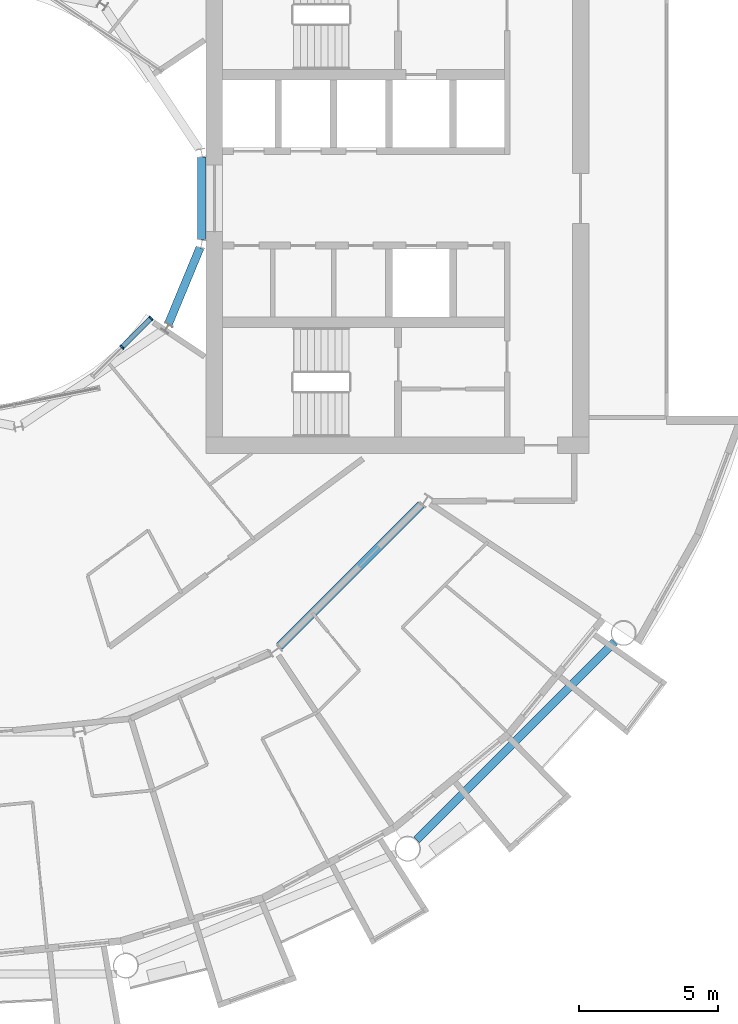
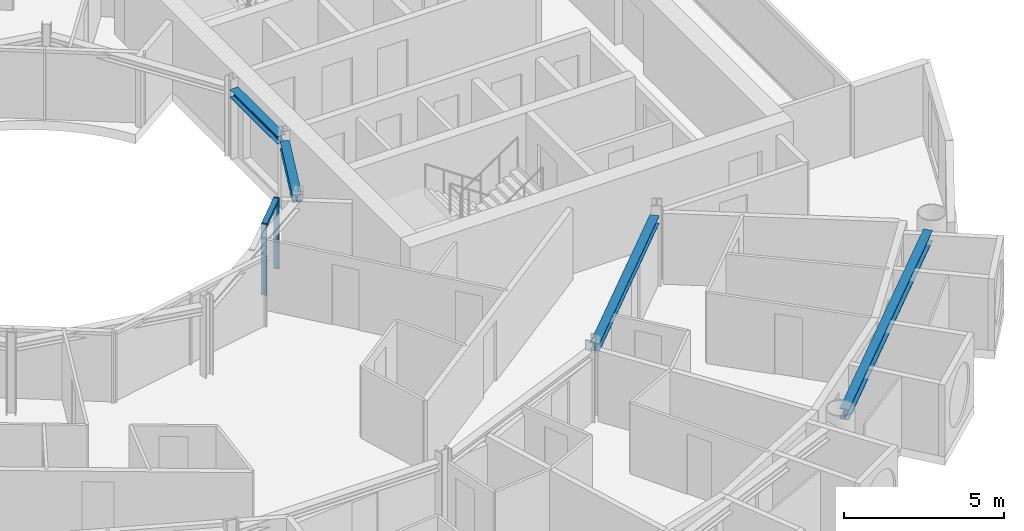
# One storey, part 7 of 27: 4 beams, 3 members, 1 element without a shape of its own.
"""IFC4 building model written with IfcOpenShell, lengths in metres."""

from ifc_helpers import new_model, si_unit, direction, frame, origin, origin_2d, place, context, subcontext, project, spatial, rectangle, i_section, extrude, material, layer, layer_set, material_profile, profile_set, type_object, element, aggregate, save


model = new_model("IFC4")

# Units and contexts
model_context = context("Model", 3, precision=1e-05, world=origin(), true_north=direction((0.0, 1.0)))
body_context = subcontext(model_context, "Body", "Model", "MODEL_VIEW")
ifc_project = project(units=[si_unit("LENGTHUNIT", "METRE"), si_unit("AREAUNIT", "SQUARE_METRE"), si_unit("VOLUMEUNIT", "CUBIC_METRE"), si_unit("PLANEANGLEUNIT", "RADIAN"), si_unit("MASSUNIT", "GRAM", prefix="KILO")], contexts=[model_context])

# Site, building, storey
site_placement = place(None, origin())
site = spatial("IfcSite", under=ifc_project, at=site_placement, CompositionType="ELEMENT")
building_placement = place(site_placement, origin())
building = spatial("IfcBuilding", under=site, at=building_placement, Name="Maasbend Ring Residences", CompositionType="ELEMENT")
storey_placement = place(building_placement, frame((0.0, 0.0, 120.800048828125)))
storey = spatial("IfcBuildingStorey", under=building, at=storey_placement, Name="L34", CompositionType="ELEMENT", Elevation=120.800048828125)

# Curtain wall, members
ifc_material_1 = material(Name="Aluminium and clear glass", Category="aluminium")
ifc_layer = layer(ifc_material_1, 0.179931640625)
ifc_layer_set = layer_set([ifc_layer], Name="CW-W")
curtain_wall_type = type_object("IfcCurtainWallType", Name="CW-W", PredefinedType="NOTDEFINED", material=ifc_layer_set)
curtain_wall_placement = place(storey_placement, origin())
curtain_wall = element("IfcCurtainWall", 1, at=curtain_wall_placement, inside=storey, type_object=curtain_wall_type, Name="Well curtain wall S3", PredefinedType="NOTDEFINED")
ifc_material_2 = material(Name="Aluminium 6063-T6", Category="aluminium")
ifc_material_profile_1 = material_profile(ifc_material_2, rectangle(XDim=0.179931640625, YDim=0.06005859375, at=origin_2d()), Name="AL 180x60")
ifc_profile_set_1 = profile_set([ifc_material_profile_1], Name="Aluminium 6063-T6")
member_type_1 = type_object("IfcMemberType", Name="CWM-W", PredefinedType="MULLION", material=ifc_profile_set_1)
member_1_placement = place(storey_placement, frame((5.366943359375, -5.366943359375, 0.0), z_axis=(0.0, 0.0, 1.0), x_axis=(-0.707106781187, 0.707106781187, 0.0)))
member_1 = element("IfcMember", 2, at=member_1_placement, type_object=member_type_1, Name="Mullion well face", PredefinedType="MULLION", context=body_context, shape_type="SweptSolid", body=[
    extrude(rectangle(XDim=0.179931640625, YDim=0.06005859375, at=origin_2d()), origin(), (0.0, 0.0, 1.0), 2.699951171875),
])
member_2_placement = place(storey_placement, frame((6.413330078125, -4.320556640625, 0.0), z_axis=(0.0, 0.0, 1.0), x_axis=(-0.707106781187, 0.707106781187, 0.0)))
member_2 = element("IfcMember", 3, at=member_2_placement, type_object=member_type_1, Name="Mullion well face", PredefinedType="MULLION", context=body_context, shape_type="SweptSolid", body=[
    extrude(rectangle(XDim=0.179931640625, YDim=0.06005859375, at=origin_2d()), origin(), (0.0, 0.0, 1.0), 2.699951171875),
])
ifc_material_3 = material(Name="Aluminium 6063-T6", Category="aluminium")
ifc_material_profile_2 = material_profile(ifc_material_3, rectangle(XDim=0.179931640625, YDim=0.1201171875, at=origin_2d()), Name="AL 180x120")
ifc_profile_set_2 = profile_set([ifc_material_profile_2], Name="Aluminium 6063-T6")
member_type_2 = type_object("IfcMemberType", Name="CWT-W", PredefinedType="USERDEFINED", material=ifc_profile_set_2)
member_3_placement = place(storey_placement, frame((5.38818359375, -5.345703125, 2.639892578125), z_axis=(0.707106781187, 0.707106781187, 0.0), x_axis=(-0.707106781187, 0.707106781187, 0.0)))
member_3 = element("IfcMember", 4, at=member_3_placement, type_object=member_type_2, Name="Transom well face", ObjectType="TRANSOM", PredefinedType="USERDEFINED", context=body_context, shape_type="SweptSolid", body=[
    extrude(rectangle(XDim=0.179931640625, YDim=0.1201171875, at=origin_2d()), origin(), (0.0, 0.0, 1.0), 1.419677734375),
])
aggregate(curtain_wall, [member_1, member_2, member_3])

# Beams
ifc_material_4 = material(Name="Steel S355J2", Category="steel")
ifc_material_profile_3 = material_profile(ifc_material_4, i_section(OverallWidth=0.300048828125, OverallDepth=0.2900390625, WebThickness=0.008544921875, FlangeThickness=0.013916015625, FilletRadius=0.027099609375, at=origin_2d()), Name="HEA 300")
ifc_profile_set_3 = profile_set([ifc_material_profile_3], Name="Steel S355J2")
beam_type_1 = type_object("IfcBeamType", Name="Corridor ring beam HEA 300", PredefinedType="BEAM", material=ifc_profile_set_3)
beam_1_placement = place(storey_placement, frame((11.044921875, -16.14111328125, 2.554931640625), z_axis=(0.707106781187, 0.707106781187, 0.0), x_axis=(-0.707106781187, 0.707106781187, 0.0)))
element("IfcBeam", 5, at=beam_1_placement, inside=storey, type_object=beam_type_1, Name="Corridor ring beam", PredefinedType="BEAM", context=body_context, shape_type="SweptSolid", body=[
    extrude(i_section(OverallWidth=0.300048828125, OverallDepth=0.2900390625, WebThickness=0.008544921875, FlangeThickness=0.013916015625, FilletRadius=0.027099609375, at=origin_2d()), origin(), (0.0, 0.0, 1.0), 7.20703125),
])
ifc_material_5 = material(Name="Steel S355J2", Category="steel")
ifc_material_profile_4 = material_profile(ifc_material_5, i_section(OverallWidth=0.300048828125, OverallDepth=0.39990234375, WebThickness=0.013427734375, FlangeThickness=0.02392578125, FilletRadius=0.027099609375, at=origin_2d()), Name="HEB 400")
ifc_profile_set_4 = profile_set([ifc_material_profile_4], Name="Steel S355J2")
beam_type_2 = type_object("IfcBeamType", Name="Spandrel ring beam HEB 400", PredefinedType="SPANDREL", material=ifc_profile_set_4)
beam_2_placement = place(storey_placement, frame((15.990234375, -23.124267578125, 2.5), z_axis=(0.707106781187, 0.707106781187, 0.0), x_axis=(-0.707106781187, 0.707106781187, 0.0)))
element("IfcBeam", 6, at=beam_2_placement, inside=storey, type_object=beam_type_2, Name="Spandrel ring beam", PredefinedType="SPANDREL", context=body_context, shape_type="SweptSolid", body=[
    extrude(i_section(OverallWidth=0.300048828125, OverallDepth=0.39990234375, WebThickness=0.013427734375, FlangeThickness=0.02392578125, FilletRadius=0.027099609375, at=origin_2d()), origin(), (0.0, 0.0, 1.0), 10.089111328125),
])
ifc_material_6 = material(Name="Steel S355J2", Category="steel")
ifc_material_profile_5 = material_profile(ifc_material_6, i_section(OverallWidth=0.300048828125, OverallDepth=0.2900390625, WebThickness=0.008544921875, FlangeThickness=0.013916015625, FilletRadius=0.027099609375, at=origin_2d()), Name="HEA 300")
ifc_profile_set_5 = profile_set([ifc_material_profile_5], Name="Steel S355J2")
beam_type_3 = type_object("IfcBeamType", Name="Well edge beam HEA 300", PredefinedType="BEAM", material=ifc_profile_set_5)
for number, where, z_axis, x_axis, name in (
    (7, (7.042724609375, -4.525390625, 2.554931640625), (0.382765370874, 0.923845588212, 0.0), (-0.923845588212, 0.382765370874, 0.0), "Well edge beam"),
    (8, (8.238525390625, -1.48583984375, 2.554931640625), (0.0, 1.0, 0.0), (-1.0, 0.0, 0.0), "Well edge beam"),
):
    element("IfcBeam", number, at=place(storey_placement, frame(where, z_axis=z_axis, x_axis=x_axis)), inside=storey, type_object=beam_type_3, Name=name, PredefinedType="BEAM", context=body_context, shape_type="SweptSolid", body=[
        extrude(i_section(OverallWidth=0.300048828125, OverallDepth=0.2900390625, WebThickness=0.008544921875, FlangeThickness=0.013916015625, FilletRadius=0.027099609375, at=origin_2d()), origin(), (0.0, 0.0, 1.0), 2.9716796875),
    ])

save(model, "model.ifc")
